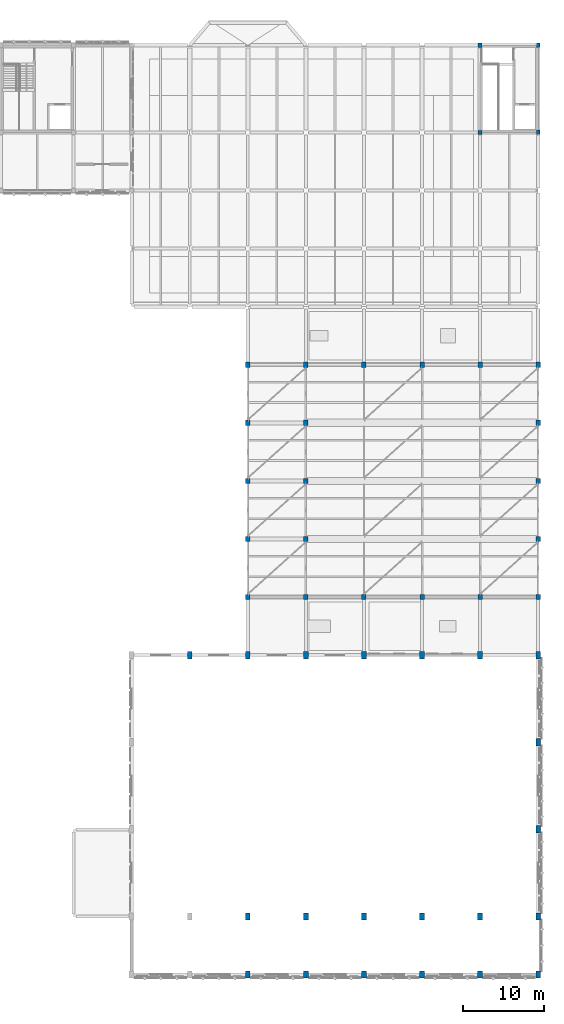
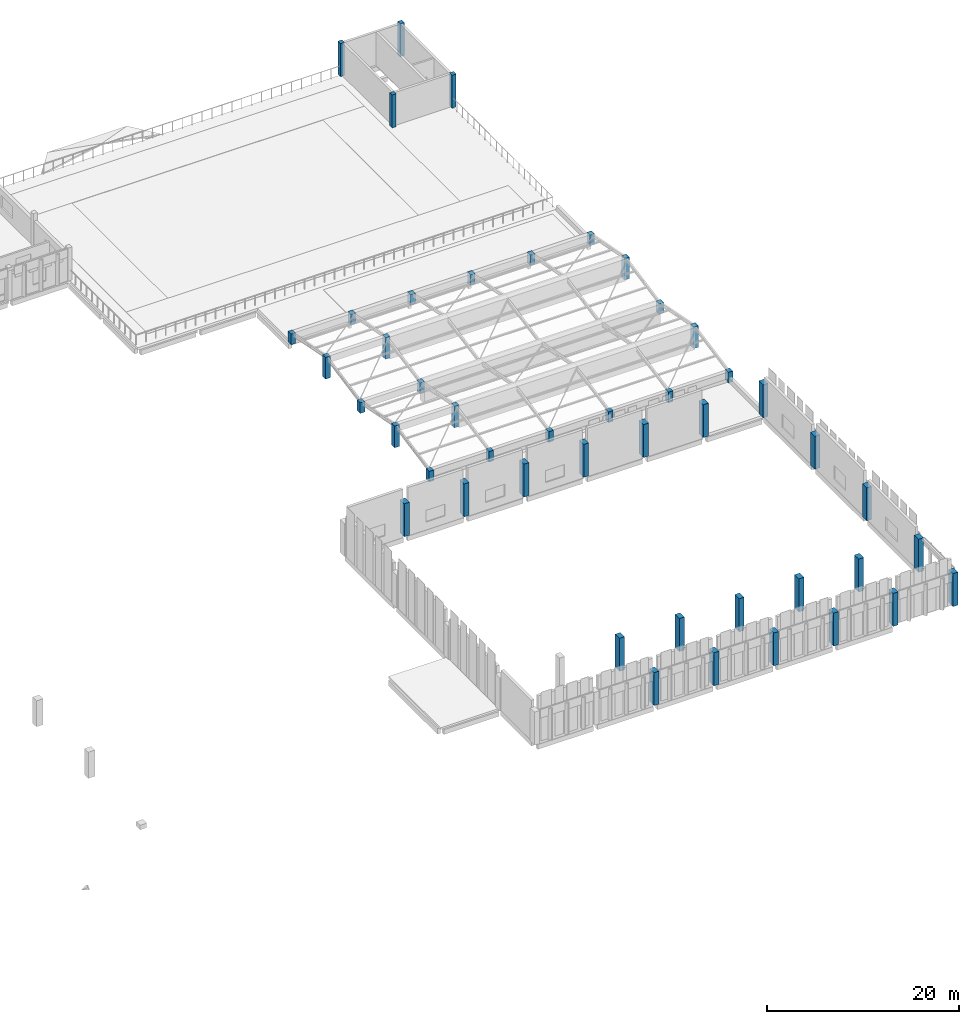
# One storey, part 2 of 72: 46 columns.
"""IFC4 building model written with IfcOpenShell, lengths in metres."""

from ifc_helpers import new_model, si_unit, direction, frame, origin, origin_2d, place, context, subcontext, project, spatial, rectangle, extrude, material, material_profile, profile_set, type_object, element, save


model = new_model("IFC4")

# Units and contexts
model_context = context("Model", 3, precision=1e-05, world=origin(), true_north=direction((0.0, 1.0)))
body_context = subcontext(model_context, "Body", "Model", "MODEL_VIEW")
ifc_project = project(units=[si_unit("LENGTHUNIT", "METRE"), si_unit("AREAUNIT", "SQUARE_METRE"), si_unit("VOLUMEUNIT", "CUBIC_METRE"), si_unit("PLANEANGLEUNIT", "RADIAN"), si_unit("MASSUNIT", "GRAM", prefix="KILO")], contexts=[model_context])

# Site, building, storey
site_placement = place(None, origin())
site = spatial("IfcSite", under=ifc_project, at=site_placement, CompositionType="ELEMENT")
building_placement = place(site_placement, origin())
building = spatial("IfcBuilding", under=site, at=building_placement, Name="Lusvemor Sports Hall", CompositionType="ELEMENT")
storey_placement = place(building_placement, frame((0.0, 0.0, 15.0)))
storey = spatial("IfcBuildingStorey", under=building, at=storey_placement, Name="L03", CompositionType="ELEMENT", Elevation=15.0)

# Columns
ifc_material_1 = material(Name="Concrete C40/50", Category="concrete")
ifc_material_profile_1 = material_profile(ifc_material_1, rectangle(XDim=0.60009765625, YDim=0.89990234375, at=origin_2d()), Name="RC600x900")
ifc_profile_set_1 = profile_set([ifc_material_profile_1], Name="Concrete C40/50")
column_type_1 = type_object("IfcColumnType", Name="COL_STACK_E", PredefinedType="COLUMN", material=ifc_profile_set_1)
for number, where, z_axis, x_axis, name in (
    (1, (126.0, 39.60009765625, 0.0), (0.0, 0.0, 1.0), (1.0, 0.0, 0.0), "Column 14/E (L03)"),
    (2, (133.199951171875, 0.0, 0.0), (0.0, 0.0, 1.0), (1.0, 0.0, 0.0), "Column 15/A (L03)"),
    (3, (133.199951171875, 7.199951171875, 0.0), (0.0, 0.0, 1.0), (1.0, 0.0, 0.0), "Column 15/B (L03)"),
    (4, (133.199951171875, 39.60009765625, 0.0), (0.0, 0.0, 1.0), (1.0, 0.0, 0.0), "Column 15/E (L03)"),
    (5, (140.39990234375, 0.0, 0.0), (0.0, 0.0, 1.0), (1.0, 0.0, 0.0), "Column 16/A (L03)"),
    (6, (140.39990234375, 7.199951171875, 0.0), (0.0, 0.0, 1.0), (1.0, 0.0, 0.0), "Column 16/B (L03)"),
    (7, (140.39990234375, 39.60009765625, 0.0), (0.0, 0.0, 1.0), (1.0, 0.0, 0.0), "Column 16/E (L03)"),
    (8, (147.60009765625, 0.0, 0.0), (0.0, 0.0, 1.0), (1.0, 0.0, 0.0), "Column 17/A (L03)"),
    (9, (147.60009765625, 7.199951171875, 0.0), (0.0, 0.0, 1.0), (1.0, 0.0, 0.0), "Column 17/B (L03)"),
    (10, (147.60009765625, 39.60009765625, 0.0), (0.0, 0.0, 1.0), (1.0, 0.0, 0.0), "Column 17/E (L03)"),
    (11, (154.800048828125, 0.0, 0.0), (0.0, 0.0, 1.0), (1.0, 0.0, 0.0), "Column 18/A (L03)"),
    (12, (154.800048828125, 7.199951171875, 0.0), (0.0, 0.0, 1.0), (1.0, 0.0, 0.0), "Column 18/B (L03)"),
    (13, (154.800048828125, 39.60009765625, 0.0), (0.0, 0.0, 1.0), (1.0, 0.0, 0.0), "Column 18/E (L03)"),
    (14, (162.0, 0.0, 0.0), (0.0, 0.0, 1.0), (1.0, 0.0, 0.0), "Column 19/A (L03)"),
    (15, (162.0, 7.199951171875, 0.0), (0.0, 0.0, 1.0), (1.0, 0.0, 0.0), "Column 19/B (L03)"),
    (16, (162.0, 39.60009765625, 0.0), (0.0, 0.0, 1.0), (1.0, 0.0, 0.0), "Column 19/E (L03)"),
    (17, (169.199951171875, 0.0, 0.0), (0.0, 0.0, 1.0), (1.0, 0.0, 0.0), "Column 20/A (L03)"),
    (18, (169.199951171875, 7.199951171875, 0.0), (0.0, 0.0, 1.0), (1.0, 0.0, 0.0), "Column 20/B (L03)"),
    (19, (169.199951171875, 18.0, 0.0), (0.0, 0.0, 1.0), (1.0, 0.0, 0.0), "Column 20/C (L03)"),
    (20, (169.199951171875, 28.800048828125, 0.0), (0.0, 0.0, 1.0), (1.0, 0.0, 0.0), "Column 20/D (L03)"),
    (21, (169.199951171875, 39.60009765625, 0.0), (0.0, 0.0, 1.0), (1.0, 0.0, 0.0), "Column 20/E (L03)"),
):
    element("IfcColumn", number, at=place(storey_placement, frame(where, z_axis=z_axis, x_axis=x_axis)), inside=storey, type_object=column_type_1, Name=name, PredefinedType="COLUMN", context=body_context, shape_type="SweptSolid", body=[
        extrude(rectangle(XDim=0.60009765625, YDim=0.89990234375, at=origin_2d()), origin(), (0.0, 0.0, 1.0), 4.199951171875),
    ])
ifc_material_2 = material(Name="Concrete C40/50", Category="concrete")
ifc_material_profile_2 = material_profile(ifc_material_2, rectangle(XDim=0.47998046875, YDim=0.5400390625, at=origin_2d()), Name="RC480x540")
ifc_profile_set_2 = profile_set([ifc_material_profile_2], Name="Concrete C40/50")
column_type_2 = type_object("IfcColumnType", Name="COL_UPPER_E", PredefinedType="COLUMN", material=ifc_profile_set_2)
for number, where, z_axis, x_axis, name in (
    (22, (162.0, 115.199951171875, 0.0), (0.0, 0.0, 1.0), (1.0, 0.0, 0.0), "Column 19/Q (L03)"),
    (23, (169.199951171875, 104.39990234375, 0.0), (0.0, 0.0, 1.0), (1.0, 0.0, 0.0), "Column 20/P (L03)"),
    (24, (169.199951171875, 115.199951171875, 0.0), (0.0, 0.0, 1.0), (1.0, 0.0, 0.0), "Column 20/Q (L03)"),
):
    element("IfcColumn", number, at=place(storey_placement, frame(where, z_axis=z_axis, x_axis=x_axis)), inside=storey, type_object=column_type_2, Name=name, PredefinedType="COLUMN", context=body_context, shape_type="SweptSolid", body=[
        extrude(rectangle(XDim=0.47998046875, YDim=0.5400390625, at=origin_2d()), origin(), (0.0, 0.0, 1.0), 4.199951171875),
    ])
ifc_material_3 = material(Name="Concrete C40/50", Category="concrete")
ifc_material_profile_3 = material_profile(ifc_material_3, rectangle(XDim=0.5, YDim=0.5, at=origin_2d()), Name="RC500x500")
ifc_profile_set_3 = profile_set([ifc_material_profile_3], Name="Concrete C40/50")
column_type_3 = type_object("IfcColumnType", Name="COL_UPPER_I", PredefinedType="COLUMN", material=ifc_profile_set_3)
column_1_placement = place(storey_placement, frame((162.0, 104.39990234375, 0.0), z_axis=(0.0, 0.0, 1.0), x_axis=(1.0, 0.0, 0.0)))
element("IfcColumn", 25, at=column_1_placement, inside=storey, type_object=column_type_3, Name="Column 19/P (L03)", PredefinedType="COLUMN", context=body_context, shape_type="SweptSolid", body=[
    extrude(rectangle(XDim=0.5, YDim=0.5, at=origin_2d()), origin(), (0.0, 0.0, 1.0), 4.199951171875),
])
ifc_material_4 = material(Name="Concrete C40/50", Category="concrete")
ifc_material_profile_4 = material_profile(ifc_material_4, rectangle(XDim=0.56005859375, YDim=0.639892578125, at=origin_2d()), Name="RC560x640")
ifc_profile_set_4 = profile_set([ifc_material_profile_4], Name="Concrete C40/50")
column_type_4 = type_object("IfcColumnType", Name="COL_WING_E", PredefinedType="COLUMN", material=ifc_profile_set_4)
column_2_placement = place(storey_placement, frame((133.199951171875, 46.800048828125, 0.0), z_axis=(0.0, 0.0, 1.0), x_axis=(1.0, 0.0, 0.0)))
element("IfcColumn", 26, at=column_2_placement, inside=storey, type_object=column_type_4, Name="Column 15/F (L03)", PredefinedType="COLUMN", context=body_context, shape_type="SweptSolid", body=[
    extrude(rectangle(XDim=0.56005859375, YDim=0.639892578125, at=origin_2d()), origin(), (0.0, 0.0, 1.0), 1.35009765625),
])
column_3_placement = place(storey_placement, frame((133.199951171875, 54.0, 0.0), z_axis=(0.0, 0.0, 1.0), x_axis=(1.0, 0.0, 0.0)))
element("IfcColumn", 27, at=column_3_placement, inside=storey, type_object=column_type_4, Name="Column 15/G (L03)", PredefinedType="COLUMN", context=body_context, shape_type="SweptSolid", body=[
    extrude(rectangle(XDim=0.56005859375, YDim=0.639892578125, at=origin_2d()), origin(), (0.0, 0.0, 1.0), 2.75),
])
column_4_placement = place(storey_placement, frame((133.199951171875, 61.199951171875, 0.0), z_axis=(0.0, 0.0, 1.0), x_axis=(1.0, 0.0, 0.0)))
element("IfcColumn", 28, at=column_4_placement, inside=storey, type_object=column_type_4, Name="Column 15/H (L03)", PredefinedType="COLUMN", context=body_context, shape_type="SweptSolid", body=[
    extrude(rectangle(XDim=0.56005859375, YDim=0.639892578125, at=origin_2d()), origin(), (0.0, 0.0, 1.0), 1.35009765625),
])
column_5_placement = place(storey_placement, frame((133.199951171875, 68.39990234375, 0.0), z_axis=(0.0, 0.0, 1.0), x_axis=(1.0, 0.0, 0.0)))
element("IfcColumn", 29, at=column_5_placement, inside=storey, type_object=column_type_4, Name="Column 15/J (L03)", PredefinedType="COLUMN", context=body_context, shape_type="SweptSolid", body=[
    extrude(rectangle(XDim=0.56005859375, YDim=0.639892578125, at=origin_2d()), origin(), (0.0, 0.0, 1.0), 2.75),
])
for number, where, z_axis, x_axis, name in (
    (30, (133.199951171875, 75.60009765625, 0.0), (0.0, 0.0, 1.0), (1.0, 0.0, 0.0), "Column 15/K (L03)"),
    (31, (140.39990234375, 46.800048828125, 0.0), (0.0, 0.0, 1.0), (1.0, 0.0, 0.0), "Column 16/F (L03)"),
):
    element("IfcColumn", number, at=place(storey_placement, frame(where, z_axis=z_axis, x_axis=x_axis)), inside=storey, type_object=column_type_4, Name=name, PredefinedType="COLUMN", context=body_context, shape_type="SweptSolid", body=[
        extrude(rectangle(XDim=0.56005859375, YDim=0.639892578125, at=origin_2d()), origin(), (0.0, 0.0, 1.0), 1.35009765625),
    ])
column_6_placement = place(storey_placement, frame((140.39990234375, 54.0, 0.0), z_axis=(0.0, 0.0, 1.0), x_axis=(1.0, 0.0, 0.0)))
element("IfcColumn", 32, at=column_6_placement, inside=storey, type_object=column_type_4, Name="Column 16/G (L03)", PredefinedType="COLUMN", context=body_context, shape_type="SweptSolid", body=[
    extrude(rectangle(XDim=0.56005859375, YDim=0.639892578125, at=origin_2d()), origin(), (0.0, 0.0, 1.0), 2.75),
])
column_7_placement = place(storey_placement, frame((140.39990234375, 61.199951171875, 0.0), z_axis=(0.0, 0.0, 1.0), x_axis=(1.0, 0.0, 0.0)))
element("IfcColumn", 33, at=column_7_placement, inside=storey, type_object=column_type_4, Name="Column 16/H (L03)", PredefinedType="COLUMN", context=body_context, shape_type="SweptSolid", body=[
    extrude(rectangle(XDim=0.56005859375, YDim=0.639892578125, at=origin_2d()), origin(), (0.0, 0.0, 1.0), 1.35009765625),
])
column_8_placement = place(storey_placement, frame((140.39990234375, 68.39990234375, 0.0), z_axis=(0.0, 0.0, 1.0), x_axis=(1.0, 0.0, 0.0)))
element("IfcColumn", 34, at=column_8_placement, inside=storey, type_object=column_type_4, Name="Column 16/J (L03)", PredefinedType="COLUMN", context=body_context, shape_type="SweptSolid", body=[
    extrude(rectangle(XDim=0.56005859375, YDim=0.639892578125, at=origin_2d()), origin(), (0.0, 0.0, 1.0), 2.75),
])
for number, where, z_axis, x_axis, name in (
    (35, (140.39990234375, 75.60009765625, 0.0), (0.0, 0.0, 1.0), (1.0, 0.0, 0.0), "Column 16/K (L03)"),
    (36, (147.60009765625, 46.800048828125, 0.0), (0.0, 0.0, 1.0), (1.0, 0.0, 0.0), "Column 17/F (L03)"),
    (37, (147.60009765625, 75.60009765625, 0.0), (0.0, 0.0, 1.0), (1.0, 0.0, 0.0), "Column 17/K (L03)"),
    (38, (154.800048828125, 46.800048828125, 0.0), (0.0, 0.0, 1.0), (1.0, 0.0, 0.0), "Column 18/F (L03)"),
    (39, (154.800048828125, 75.60009765625, 0.0), (0.0, 0.0, 1.0), (1.0, 0.0, 0.0), "Column 18/K (L03)"),
    (40, (162.0, 46.800048828125, 0.0), (0.0, 0.0, 1.0), (1.0, 0.0, 0.0), "Column 19/F (L03)"),
    (41, (162.0, 75.60009765625, 0.0), (0.0, 0.0, 1.0), (1.0, 0.0, 0.0), "Column 19/K (L03)"),
    (42, (169.199951171875, 46.800048828125, 0.0), (0.0, 0.0, 1.0), (1.0, 0.0, 0.0), "Column 20/F (L03)"),
):
    element("IfcColumn", number, at=place(storey_placement, frame(where, z_axis=z_axis, x_axis=x_axis)), inside=storey, type_object=column_type_4, Name=name, PredefinedType="COLUMN", context=body_context, shape_type="SweptSolid", body=[
        extrude(rectangle(XDim=0.56005859375, YDim=0.639892578125, at=origin_2d()), origin(), (0.0, 0.0, 1.0), 1.35009765625),
    ])
column_9_placement = place(storey_placement, frame((169.199951171875, 54.0, 0.0), z_axis=(0.0, 0.0, 1.0), x_axis=(1.0, 0.0, 0.0)))
element("IfcColumn", 43, at=column_9_placement, inside=storey, type_object=column_type_4, Name="Column 20/G (L03)", PredefinedType="COLUMN", context=body_context, shape_type="SweptSolid", body=[
    extrude(rectangle(XDim=0.56005859375, YDim=0.639892578125, at=origin_2d()), origin(), (0.0, 0.0, 1.0), 2.75),
])
column_10_placement = place(storey_placement, frame((169.199951171875, 61.199951171875, 0.0), z_axis=(0.0, 0.0, 1.0), x_axis=(1.0, 0.0, 0.0)))
element("IfcColumn", 44, at=column_10_placement, inside=storey, type_object=column_type_4, Name="Column 20/H (L03)", PredefinedType="COLUMN", context=body_context, shape_type="SweptSolid", body=[
    extrude(rectangle(XDim=0.56005859375, YDim=0.639892578125, at=origin_2d()), origin(), (0.0, 0.0, 1.0), 1.35009765625),
])
column_11_placement = place(storey_placement, frame((169.199951171875, 68.39990234375, 0.0), z_axis=(0.0, 0.0, 1.0), x_axis=(1.0, 0.0, 0.0)))
element("IfcColumn", 45, at=column_11_placement, inside=storey, type_object=column_type_4, Name="Column 20/J (L03)", PredefinedType="COLUMN", context=body_context, shape_type="SweptSolid", body=[
    extrude(rectangle(XDim=0.56005859375, YDim=0.639892578125, at=origin_2d()), origin(), (0.0, 0.0, 1.0), 2.75),
])
column_12_placement = place(storey_placement, frame((169.199951171875, 75.60009765625, 0.0), z_axis=(0.0, 0.0, 1.0), x_axis=(1.0, 0.0, 0.0)))
element("IfcColumn", 46, at=column_12_placement, inside=storey, type_object=column_type_4, Name="Column 20/K (L03)", PredefinedType="COLUMN", context=body_context, shape_type="SweptSolid", body=[
    extrude(rectangle(XDim=0.56005859375, YDim=0.639892578125, at=origin_2d()), origin(), (0.0, 0.0, 1.0), 1.35009765625),
])

save(model, "model.ifc")
